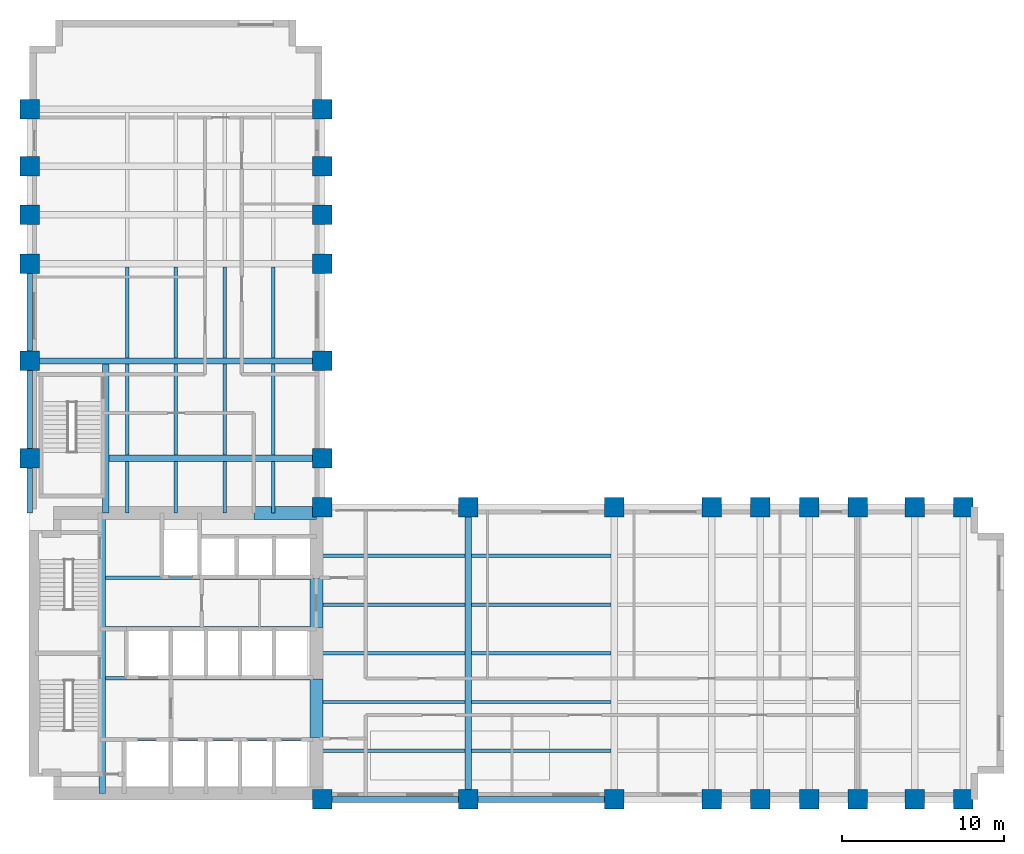
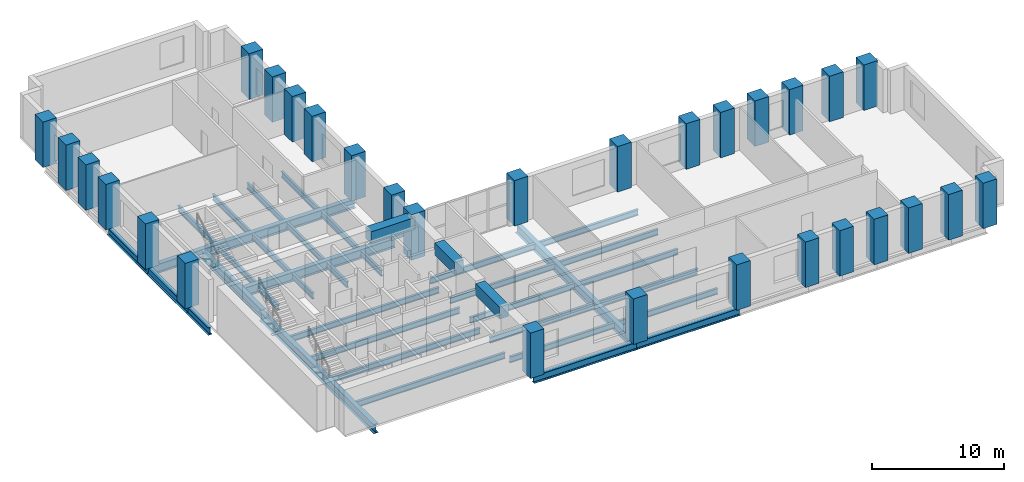
# One storey, part 1 of 8: 39 beams, 30 columns.
"""IFC4 building model written with IfcOpenShell, lengths in metres."""

from ifc_helpers import new_model, si_unit, direction, frame, origin, origin_2d, place, context, subcontext, project, spatial, rectangle, i_section, extrude, material, material_profile, profile_set, type_object, element, save


model = new_model("IFC4")

# Units and contexts
model_context = context("Model", 3, precision=1e-05, world=origin(), true_north=direction((0.0, 1.0)))
body_context = subcontext(model_context, "Body", "Model", "MODEL_VIEW")
ifc_project = project(units=[si_unit("LENGTHUNIT", "METRE"), si_unit("AREAUNIT", "SQUARE_METRE"), si_unit("VOLUMEUNIT", "CUBIC_METRE"), si_unit("PLANEANGLEUNIT", "RADIAN"), si_unit("MASSUNIT", "GRAM", prefix="KILO")], contexts=[model_context])

# Site, building, storey
site_placement = place(None, origin())
site = spatial("IfcSite", under=ifc_project, at=site_placement, CompositionType="ELEMENT")
building_placement = place(site_placement, origin())
building = spatial("IfcBuilding", under=site, at=building_placement, Name="Mawjdan Bourse Tower", CompositionType="ELEMENT")
storey_placement = place(building_placement, frame((0.0, 0.0, 25.800048828125)))
storey = spatial("IfcBuildingStorey", under=building, at=storey_placement, Name="L05", CompositionType="ELEMENT", Elevation=25.800048828125)

# Columns
ifc_material_1 = material(Name="Concrete C80/95", Category="concrete")
ifc_material_profile_1 = material_profile(ifc_material_1, rectangle(XDim=1.199951171875, YDim=1.199951171875, at=origin_2d()), Name="RC1200X1200")
ifc_profile_set_1 = profile_set([ifc_material_profile_1], Name="Concrete C80/95")
column_type = type_object("IfcColumnType", Name="COL-RC1200X1200", PredefinedType="COLUMN", material=ifc_profile_set_1)
for number, where, z_axis, x_axis, name in (
    (1, (24.0, 3.0, 0.0), (0.0, 0.0, 1.0), (1.0, 0.0, 0.0), "L05 Structural Column C-X240-Y30"),
    (2, (24.0, 21.0, 0.0), (0.0, 0.0, 1.0), (1.0, 0.0, 0.0), "L05 Structural Column C-X240-Y210"),
    (3, (33.0, 3.0, 0.0), (0.0, 0.0, 1.0), (1.0, 0.0, 0.0), "L05 Structural Column C-X330-Y30"),
    (4, (33.0, 21.0, 0.0), (0.0, 0.0, 1.0), (1.0, 0.0, 0.0), "L05 Structural Column C-X330-Y210"),
    (5, (42.0, 3.0, 0.0), (0.0, 0.0, 1.0), (1.0, 0.0, 0.0), "L05 Structural Column C-X420-Y30"),
    (6, (42.0, 21.0, 0.0), (0.0, 0.0, 1.0), (1.0, 0.0, 0.0), "L05 Structural Column C-X420-Y210"),
    (7, (48.0, 3.0, 0.0), (0.0, 0.0, 1.0), (1.0, 0.0, 0.0), "L05 Structural Column C-X480-Y30"),
    (8, (48.0, 21.0, 0.0), (0.0, 0.0, 1.0), (1.0, 0.0, 0.0), "L05 Structural Column C-X480-Y210"),
    (9, (51.0, 3.0, 0.0), (0.0, 0.0, 1.0), (1.0, 0.0, 0.0), "L05 Structural Column C-X510-Y30"),
    (10, (51.0, 21.0, 0.0), (0.0, 0.0, 1.0), (1.0, 0.0, 0.0), "L05 Structural Column C-X510-Y210"),
    (11, (54.0, 3.0, 0.0), (0.0, 0.0, 1.0), (1.0, 0.0, 0.0), "L05 Structural Column C-X540-Y30"),
    (12, (54.0, 21.0, 0.0), (0.0, 0.0, 1.0), (1.0, 0.0, 0.0), "L05 Structural Column C-X540-Y210"),
    (13, (57.0, 3.0, 0.0), (0.0, 0.0, 1.0), (1.0, 0.0, 0.0), "L05 Structural Column C-X570-Y30"),
    (14, (57.0, 21.0, 0.0), (0.0, 0.0, 1.0), (1.0, 0.0, 0.0), "L05 Structural Column C-X570-Y210"),
    (15, (60.5, 3.0, 0.0), (0.0, 0.0, 1.0), (1.0, 0.0, 0.0), "L05 Structural Column C-X605-Y30"),
    (16, (60.5, 21.0, 0.0), (0.0, 0.0, 1.0), (1.0, 0.0, 0.0), "L05 Structural Column C-X605-Y210"),
    (17, (63.5, 3.0, 0.0), (0.0, 0.0, 1.0), (1.0, 0.0, 0.0), "L05 Structural Column C-X635-Y30"),
    (18, (63.5, 21.0, 0.0), (0.0, 0.0, 1.0), (1.0, 0.0, 0.0), "L05 Structural Column C-X635-Y210"),
    (19, (6.0, 24.0, 0.0), (0.0, 0.0, 1.0), (1.0, 0.0, 0.0), "L05 Structural Column C-X60-Y240"),
    (20, (24.0, 24.0, 0.0), (0.0, 0.0, 1.0), (1.0, 0.0, 0.0), "L05 Structural Column C-X240-Y240"),
    (21, (6.0, 30.0, 0.0), (0.0, 0.0, 1.0), (1.0, 0.0, 0.0), "L05 Structural Column C-X60-Y300"),
    (22, (24.0, 30.0, 0.0), (0.0, 0.0, 1.0), (1.0, 0.0, 0.0), "L05 Structural Column C-X240-Y300"),
    (23, (6.0, 36.0, 0.0), (0.0, 0.0, 1.0), (1.0, 0.0, 0.0), "L05 Structural Column C-X60-Y360"),
    (24, (24.0, 36.0, 0.0), (0.0, 0.0, 1.0), (1.0, 0.0, 0.0), "L05 Structural Column C-X240-Y360"),
    (25, (6.0, 39.0, 0.0), (0.0, 0.0, 1.0), (1.0, 0.0, 0.0), "L05 Structural Column C-X60-Y390"),
    (26, (24.0, 39.0, 0.0), (0.0, 0.0, 1.0), (1.0, 0.0, 0.0), "L05 Structural Column C-X240-Y390"),
    (27, (6.0, 42.0, 0.0), (0.0, 0.0, 1.0), (1.0, 0.0, 0.0), "L05 Structural Column C-X60-Y420"),
    (28, (24.0, 42.0, 0.0), (0.0, 0.0, 1.0), (1.0, 0.0, 0.0), "L05 Structural Column C-X240-Y420"),
    (29, (6.0, 45.5, 0.0), (0.0, 0.0, 1.0), (1.0, 0.0, 0.0), "L05 Structural Column C-X60-Y455"),
    (30, (24.0, 45.5, 0.0), (0.0, 0.0, 1.0), (1.0, 0.0, 0.0), "L05 Structural Column C-X240-Y455"),
):
    element("IfcColumn", number, at=place(storey_placement, frame(where, z_axis=z_axis, x_axis=x_axis)), inside=storey, type_object=column_type, Name=name, PredefinedType="COLUMN", context=body_context, shape_type="SweptSolid", body=[
        extrude(rectangle(XDim=1.199951171875, YDim=1.199951171875, at=origin_2d()), origin(), (0.0, 0.0, 1.0), 4.199951171875),
    ])

# Beams
ifc_material_2 = material(Name="Structural Steel S355", Category="steel")
ifc_material_profile_2 = material_profile(ifc_material_2, i_section(OverallWidth=0.39892578125, OverallDepth=0.85595703125, WebThickness=0.018310546875, FlangeThickness=0.029296875, FilletRadius=0.0234375, at=origin_2d()), Name="W33X201")
ifc_profile_set_2 = profile_set([ifc_material_profile_2], Name="Structural Steel S355")
beam_type_1 = type_object("IfcBeamType", Name="GRD-W33X201", PredefinedType="BEAM", material=ifc_profile_set_2)
beam_1_placement = place(storey_placement, frame((10.47998046875, 3.35009765625, -0.64794921875), z_axis=(0.0, 1.0, 0.0), x_axis=(-1.0, 0.0, 0.0)))
element("IfcBeam", 31, at=beam_1_placement, inside=storey, type_object=beam_type_1, Name="L05 Core Stair Trimmer Girder 001", PredefinedType="BEAM", context=body_context, shape_type="SweptSolid", body=[
    extrude(i_section(OverallWidth=0.39892578125, OverallDepth=0.85595703125, WebThickness=0.018310546875, FlangeThickness=0.029296875, FilletRadius=0.0234375, at=origin_2d()), origin(), (0.0, 0.0, 1.0), 17.2998046875),
])
beam_2_placement = place(storey_placement, frame((33.0, 3.0, -0.64794921875), z_axis=(0.0, 1.0, 0.0), x_axis=(-1.0, 0.0, 0.0)))
element("IfcBeam", 32, at=beam_2_placement, inside=storey, type_object=beam_type_1, Name="L05 East Wing Clear-Span Girder 002", PredefinedType="BEAM", context=body_context, shape_type="SweptSolid", body=[
    extrude(i_section(OverallWidth=0.39892578125, OverallDepth=0.85595703125, WebThickness=0.018310546875, FlangeThickness=0.029296875, FilletRadius=0.0234375, at=origin_2d()), origin(), (0.0, 0.0, 1.0), 18.0),
])
beam_3_placement = place(storey_placement, frame((10.679931640625, 20.64990234375, -0.64794921875), z_axis=(0.0, 1.0, 0.0), x_axis=(-1.0, 0.0, 0.0)))
element("IfcBeam", 33, at=beam_3_placement, inside=storey, type_object=beam_type_1, Name="L05 North Wing Stair Trimmer Girder 070", PredefinedType="BEAM", context=body_context, shape_type="SweptSolid", body=[
    extrude(i_section(OverallWidth=0.39892578125, OverallDepth=0.85595703125, WebThickness=0.018310546875, FlangeThickness=0.029296875, FilletRadius=0.0234375, at=origin_2d()), origin(), (0.0, 0.0, 1.0), 9.152587890625),
])
beam_4_placement = place(storey_placement, frame((10.87744140625, 24.0, -0.64794921875), z_axis=(1.0, 0.0, 0.0), x_axis=(0.0, 1.0, 0.0)))
element("IfcBeam", 34, at=beam_4_placement, inside=storey, type_object=beam_type_1, Name="L05 North Wing Clear-Span Girder 071", PredefinedType="BEAM", context=body_context, shape_type="SweptSolid", body=[
    extrude(i_section(OverallWidth=0.39892578125, OverallDepth=0.85595703125, WebThickness=0.018310546875, FlangeThickness=0.029296875, FilletRadius=0.0234375, at=origin_2d()), origin(), (0.0, 0.0, 1.0), 13.12255859375),
])
beam_5_placement = place(storey_placement, frame((6.0, 30.0, -0.64794921875), z_axis=(1.0, 0.0, 0.0), x_axis=(0.0, 1.0, 0.0)))
element("IfcBeam", 35, at=beam_5_placement, inside=storey, type_object=beam_type_1, Name="L05 North Wing Clear-Span Girder 072", PredefinedType="BEAM", context=body_context, shape_type="SweptSolid", body=[
    extrude(i_section(OverallWidth=0.39892578125, OverallDepth=0.85595703125, WebThickness=0.018310546875, FlangeThickness=0.029296875, FilletRadius=0.0234375, at=origin_2d()), origin(), (0.0, 0.0, 1.0), 18.0),
])
ifc_material_profile_3 = material_profile(ifc_material_2, i_section(OverallWidth=0.2119140625, OverallDepth=0.5439453125, WebThickness=0.01318359375, FlangeThickness=0.021240234375, FilletRadius=0.01708984375, at=origin_2d()), Name="W21X83")
ifc_profile_set_3 = profile_set([ifc_material_profile_3], Name="Structural Steel S355")
beam_type_2 = type_object("IfcBeamType", Name="JST-W21X83", PredefinedType="JOIST", material=ifc_profile_set_3)
beam_6_placement = place(storey_placement, frame((23.64990234375, 6.0, -0.491943359375), z_axis=(1.0, 0.0, 0.0), x_axis=(0.0, 1.0, 0.0)))
element("IfcBeam", 36, at=beam_6_placement, inside=storey, type_object=beam_type_2, Name="L05 East Wing Composite Joist 026", PredefinedType="JOIST", context=body_context, shape_type="SweptSolid", body=[
    extrude(i_section(OverallWidth=0.2119140625, OverallDepth=0.5439453125, WebThickness=0.01318359375, FlangeThickness=0.021240234375, FilletRadius=0.01708984375, at=origin_2d()), origin(), (0.0, 0.0, 1.0), 9.152587890625),
])
beam_7_placement = place(storey_placement, frame((33.197509765625, 6.0, -0.491943359375), z_axis=(1.0, 0.0, 0.0), x_axis=(0.0, 1.0, 0.0)))
element("IfcBeam", 37, at=beam_7_placement, inside=storey, type_object=beam_type_2, Name="L05 East Wing Composite Joist 027", PredefinedType="JOIST", context=body_context, shape_type="SweptSolid", body=[
    extrude(i_section(OverallWidth=0.2119140625, OverallDepth=0.5439453125, WebThickness=0.01318359375, FlangeThickness=0.021240234375, FilletRadius=0.01708984375, at=origin_2d()), origin(), (0.0, 0.0, 1.0), 8.60498046875),
])
beam_8_placement = place(storey_placement, frame((23.64990234375, 9.0, -0.491943359375), z_axis=(1.0, 0.0, 0.0), x_axis=(0.0, 1.0, 0.0)))
element("IfcBeam", 38, at=beam_8_placement, inside=storey, type_object=beam_type_2, Name="L05 East Wing Composite Joist 034", PredefinedType="JOIST", context=body_context, shape_type="SweptSolid", body=[
    extrude(i_section(OverallWidth=0.2119140625, OverallDepth=0.5439453125, WebThickness=0.01318359375, FlangeThickness=0.021240234375, FilletRadius=0.01708984375, at=origin_2d()), origin(), (0.0, 0.0, 1.0), 9.152587890625),
])
beam_9_placement = place(storey_placement, frame((33.197509765625, 9.0, -0.491943359375), z_axis=(1.0, 0.0, 0.0), x_axis=(0.0, 1.0, 0.0)))
element("IfcBeam", 39, at=beam_9_placement, inside=storey, type_object=beam_type_2, Name="L05 East Wing Composite Joist 035", PredefinedType="JOIST", context=body_context, shape_type="SweptSolid", body=[
    extrude(i_section(OverallWidth=0.2119140625, OverallDepth=0.5439453125, WebThickness=0.01318359375, FlangeThickness=0.021240234375, FilletRadius=0.01708984375, at=origin_2d()), origin(), (0.0, 0.0, 1.0), 8.60498046875),
])
beam_10_placement = place(storey_placement, frame((23.64990234375, 12.0, -0.491943359375), z_axis=(1.0, 0.0, 0.0), x_axis=(0.0, 1.0, 0.0)))
element("IfcBeam", 40, at=beam_10_placement, inside=storey, type_object=beam_type_2, Name="L05 East Wing Composite Joist 042", PredefinedType="JOIST", context=body_context, shape_type="SweptSolid", body=[
    extrude(i_section(OverallWidth=0.2119140625, OverallDepth=0.5439453125, WebThickness=0.01318359375, FlangeThickness=0.021240234375, FilletRadius=0.01708984375, at=origin_2d()), origin(), (0.0, 0.0, 1.0), 9.152587890625),
])
beam_11_placement = place(storey_placement, frame((33.197509765625, 12.0, -0.491943359375), z_axis=(1.0, 0.0, 0.0), x_axis=(0.0, 1.0, 0.0)))
element("IfcBeam", 41, at=beam_11_placement, inside=storey, type_object=beam_type_2, Name="L05 East Wing Composite Joist 043", PredefinedType="JOIST", context=body_context, shape_type="SweptSolid", body=[
    extrude(i_section(OverallWidth=0.2119140625, OverallDepth=0.5439453125, WebThickness=0.01318359375, FlangeThickness=0.021240234375, FilletRadius=0.01708984375, at=origin_2d()), origin(), (0.0, 0.0, 1.0), 8.60498046875),
])
beam_12_placement = place(storey_placement, frame((23.64990234375, 15.0, -0.491943359375), z_axis=(1.0, 0.0, 0.0), x_axis=(0.0, 1.0, 0.0)))
element("IfcBeam", 42, at=beam_12_placement, inside=storey, type_object=beam_type_2, Name="L05 East Wing Composite Joist 050", PredefinedType="JOIST", context=body_context, shape_type="SweptSolid", body=[
    extrude(i_section(OverallWidth=0.2119140625, OverallDepth=0.5439453125, WebThickness=0.01318359375, FlangeThickness=0.021240234375, FilletRadius=0.01708984375, at=origin_2d()), origin(), (0.0, 0.0, 1.0), 9.152587890625),
])
beam_13_placement = place(storey_placement, frame((33.197509765625, 15.0, -0.491943359375), z_axis=(1.0, 0.0, 0.0), x_axis=(0.0, 1.0, 0.0)))
element("IfcBeam", 43, at=beam_13_placement, inside=storey, type_object=beam_type_2, Name="L05 East Wing Composite Joist 051", PredefinedType="JOIST", context=body_context, shape_type="SweptSolid", body=[
    extrude(i_section(OverallWidth=0.2119140625, OverallDepth=0.5439453125, WebThickness=0.01318359375, FlangeThickness=0.021240234375, FilletRadius=0.01708984375, at=origin_2d()), origin(), (0.0, 0.0, 1.0), 8.60498046875),
])
beam_14_placement = place(storey_placement, frame((23.64990234375, 18.0, -0.491943359375), z_axis=(1.0, 0.0, 0.0), x_axis=(0.0, 1.0, 0.0)))
element("IfcBeam", 44, at=beam_14_placement, inside=storey, type_object=beam_type_2, Name="L05 East Wing Composite Joist 058", PredefinedType="JOIST", context=body_context, shape_type="SweptSolid", body=[
    extrude(i_section(OverallWidth=0.2119140625, OverallDepth=0.5439453125, WebThickness=0.01318359375, FlangeThickness=0.021240234375, FilletRadius=0.01708984375, at=origin_2d()), origin(), (0.0, 0.0, 1.0), 9.152587890625),
])
beam_15_placement = place(storey_placement, frame((33.197509765625, 18.0, -0.491943359375), z_axis=(1.0, 0.0, 0.0), x_axis=(0.0, 1.0, 0.0)))
element("IfcBeam", 45, at=beam_15_placement, inside=storey, type_object=beam_type_2, Name="L05 East Wing Composite Joist 059", PredefinedType="JOIST", context=body_context, shape_type="SweptSolid", body=[
    extrude(i_section(OverallWidth=0.2119140625, OverallDepth=0.5439453125, WebThickness=0.01318359375, FlangeThickness=0.021240234375, FilletRadius=0.01708984375, at=origin_2d()), origin(), (0.0, 0.0, 1.0), 8.60498046875),
])
for number, where, z_axis, x_axis, name in (
    (46, (10.677490234375, 6.699951171875, -0.491943359375), (1.0, 0.0, 0.0), (0.0, 1.0, 0.0), "L05 Core Floor Joist 066"),
    (47, (10.677490234375, 10.449951171875, -0.491943359375), (1.0, 0.0, 0.0), (0.0, 1.0, 0.0), "L05 Core Floor Joist 067"),
    (48, (10.677490234375, 13.550048828125, -0.491943359375), (1.0, 0.0, 0.0), (0.0, 1.0, 0.0), "L05 Core Floor Joist 068"),
    (49, (10.677490234375, 16.64990234375, -0.491943359375), (1.0, 0.0, 0.0), (0.0, 1.0, 0.0), "L05 Core Floor Joist 069"),
):
    element("IfcBeam", number, at=place(storey_placement, frame(where, z_axis=z_axis, x_axis=x_axis)), inside=storey, type_object=beam_type_2, Name=name, PredefinedType="JOIST", context=body_context, shape_type="SweptSolid", body=[
        extrude(i_section(OverallWidth=0.2119140625, OverallDepth=0.5439453125, WebThickness=0.01318359375, FlangeThickness=0.021240234375, FilletRadius=0.01708984375, at=origin_2d()), origin(), (0.0, 0.0, 1.0), 12.972412109375),
    ])
beam_16_placement = place(storey_placement, frame((12.0, 20.64990234375, -0.491943359375), z_axis=(0.0, 1.0, 0.0), x_axis=(-1.0, 0.0, 0.0)))
element("IfcBeam", 50, at=beam_16_placement, inside=storey, type_object=beam_type_2, Name="L05 North Wing Composite Joist 089", PredefinedType="JOIST", context=body_context, shape_type="SweptSolid", body=[
    extrude(i_section(OverallWidth=0.2119140625, OverallDepth=0.5439453125, WebThickness=0.01318359375, FlangeThickness=0.021240234375, FilletRadius=0.01708984375, at=origin_2d()), origin(), (0.0, 0.0, 1.0), 3.152587890625),
])
for number, where, z_axis, x_axis, name in (
    (51, (12.0, 24.197509765625, -0.491943359375), (0.0, 1.0, 0.0), (-1.0, 0.0, 0.0), "L05 North Wing Composite Joist 090"),
    (52, (12.0, 30.197509765625, -0.491943359375), (0.0, 1.0, 0.0), (-1.0, 0.0, 0.0), "L05 North Wing Composite Joist 091"),
):
    element("IfcBeam", number, at=place(storey_placement, frame(where, z_axis=z_axis, x_axis=x_axis)), inside=storey, type_object=beam_type_2, Name=name, PredefinedType="JOIST", context=body_context, shape_type="SweptSolid", body=[
        extrude(i_section(OverallWidth=0.2119140625, OverallDepth=0.5439453125, WebThickness=0.01318359375, FlangeThickness=0.021240234375, FilletRadius=0.01708984375, at=origin_2d()), origin(), (0.0, 0.0, 1.0), 5.60498046875),
    ])
beam_17_placement = place(storey_placement, frame((15.0, 20.64990234375, -0.491943359375), z_axis=(0.0, 1.0, 0.0), x_axis=(-1.0, 0.0, 0.0)))
element("IfcBeam", 53, at=beam_17_placement, inside=storey, type_object=beam_type_2, Name="L05 North Wing Composite Joist 095", PredefinedType="JOIST", context=body_context, shape_type="SweptSolid", body=[
    extrude(i_section(OverallWidth=0.2119140625, OverallDepth=0.5439453125, WebThickness=0.01318359375, FlangeThickness=0.021240234375, FilletRadius=0.01708984375, at=origin_2d()), origin(), (0.0, 0.0, 1.0), 3.152587890625),
])
for number, where, z_axis, x_axis, name in (
    (54, (15.0, 24.197509765625, -0.491943359375), (0.0, 1.0, 0.0), (-1.0, 0.0, 0.0), "L05 North Wing Composite Joist 096"),
    (55, (15.0, 30.197509765625, -0.491943359375), (0.0, 1.0, 0.0), (-1.0, 0.0, 0.0), "L05 North Wing Composite Joist 097"),
):
    element("IfcBeam", number, at=place(storey_placement, frame(where, z_axis=z_axis, x_axis=x_axis)), inside=storey, type_object=beam_type_2, Name=name, PredefinedType="JOIST", context=body_context, shape_type="SweptSolid", body=[
        extrude(i_section(OverallWidth=0.2119140625, OverallDepth=0.5439453125, WebThickness=0.01318359375, FlangeThickness=0.021240234375, FilletRadius=0.01708984375, at=origin_2d()), origin(), (0.0, 0.0, 1.0), 5.60498046875),
    ])
beam_18_placement = place(storey_placement, frame((18.0, 20.64990234375, -0.491943359375), z_axis=(0.0, 1.0, 0.0), x_axis=(-1.0, 0.0, 0.0)))
element("IfcBeam", 56, at=beam_18_placement, inside=storey, type_object=beam_type_2, Name="L05 North Wing Composite Joist 101", PredefinedType="JOIST", context=body_context, shape_type="SweptSolid", body=[
    extrude(i_section(OverallWidth=0.2119140625, OverallDepth=0.5439453125, WebThickness=0.01318359375, FlangeThickness=0.021240234375, FilletRadius=0.01708984375, at=origin_2d()), origin(), (0.0, 0.0, 1.0), 3.152587890625),
])
for number, where, z_axis, x_axis, name in (
    (57, (18.0, 24.197509765625, -0.491943359375), (0.0, 1.0, 0.0), (-1.0, 0.0, 0.0), "L05 North Wing Composite Joist 102"),
    (58, (18.0, 30.197509765625, -0.491943359375), (0.0, 1.0, 0.0), (-1.0, 0.0, 0.0), "L05 North Wing Composite Joist 103"),
):
    element("IfcBeam", number, at=place(storey_placement, frame(where, z_axis=z_axis, x_axis=x_axis)), inside=storey, type_object=beam_type_2, Name=name, PredefinedType="JOIST", context=body_context, shape_type="SweptSolid", body=[
        extrude(i_section(OverallWidth=0.2119140625, OverallDepth=0.5439453125, WebThickness=0.01318359375, FlangeThickness=0.021240234375, FilletRadius=0.01708984375, at=origin_2d()), origin(), (0.0, 0.0, 1.0), 5.60498046875),
    ])
beam_19_placement = place(storey_placement, frame((21.0, 20.64990234375, -0.491943359375), z_axis=(0.0, 1.0, 0.0), x_axis=(-1.0, 0.0, 0.0)))
element("IfcBeam", 59, at=beam_19_placement, inside=storey, type_object=beam_type_2, Name="L05 North Wing Composite Joist 107", PredefinedType="JOIST", context=body_context, shape_type="SweptSolid", body=[
    extrude(i_section(OverallWidth=0.2119140625, OverallDepth=0.5439453125, WebThickness=0.01318359375, FlangeThickness=0.021240234375, FilletRadius=0.01708984375, at=origin_2d()), origin(), (0.0, 0.0, 1.0), 3.152587890625),
])
for number, where, z_axis, x_axis, name in (
    (60, (21.0, 24.197509765625, -0.491943359375), (0.0, 1.0, 0.0), (-1.0, 0.0, 0.0), "L05 North Wing Composite Joist 108"),
    (61, (21.0, 30.197509765625, -0.491943359375), (0.0, 1.0, 0.0), (-1.0, 0.0, 0.0), "L05 North Wing Composite Joist 109"),
):
    element("IfcBeam", number, at=place(storey_placement, frame(where, z_axis=z_axis, x_axis=x_axis)), inside=storey, type_object=beam_type_2, Name=name, PredefinedType="JOIST", context=body_context, shape_type="SweptSolid", body=[
        extrude(i_section(OverallWidth=0.2119140625, OverallDepth=0.5439453125, WebThickness=0.01318359375, FlangeThickness=0.021240234375, FilletRadius=0.01708984375, at=origin_2d()), origin(), (0.0, 0.0, 1.0), 5.60498046875),
    ])
ifc_material_3 = material(Name="Concrete C70/85", Category="concrete")
ifc_material_profile_4 = material_profile(ifc_material_3, rectangle(XDim=0.800048828125, YDim=1.10009765625, at=origin_2d()), Name="RCB800X1100")
ifc_profile_set_4 = profile_set([ifc_material_profile_4], Name="Concrete C70/85")
beam_type_3 = type_object("IfcBeamType", Name="LNT-RCB800X1100", PredefinedType="LINTEL", material=ifc_profile_set_4)
beam_20_placement = place(storey_placement, frame((23.64990234375, 6.800048828125, 3.429931640625), z_axis=(0.0, 1.0, 0.0), x_axis=(-1.0, 0.0, 0.0)))
element("IfcBeam", 62, at=beam_20_placement, inside=storey, type_object=beam_type_3, Name="L05 Coupled Core Lintel CB-E1", PredefinedType="LINTEL", context=body_context, shape_type="SweptSolid", body=[
    extrude(rectangle(XDim=0.800048828125, YDim=1.10009765625, at=origin_2d()), origin(), (0.0, 0.0, 1.0), 3.599853515625),
])
beam_21_placement = place(storey_placement, frame((23.64990234375, 13.60009765625, 3.429931640625), z_axis=(0.0, 1.0, 0.0), x_axis=(-1.0, 0.0, 0.0)))
element("IfcBeam", 63, at=beam_21_placement, inside=storey, type_object=beam_type_3, Name="L05 Coupled Core Lintel CB-E2", PredefinedType="LINTEL", context=body_context, shape_type="SweptSolid", body=[
    extrude(rectangle(XDim=0.800048828125, YDim=1.10009765625, at=origin_2d()), origin(), (0.0, 0.0, 1.0), 3.0),
])
beam_22_placement = place(storey_placement, frame((19.800048828125, 20.64990234375, 3.429931640625), z_axis=(1.0, 0.0, 0.0), x_axis=(0.0, 1.0, 0.0)))
element("IfcBeam", 64, at=beam_22_placement, inside=storey, type_object=beam_type_3, Name="L05 Coupled Core Lintel CB-N1", PredefinedType="LINTEL", context=body_context, shape_type="SweptSolid", body=[
    extrude(rectangle(XDim=0.800048828125, YDim=1.10009765625, at=origin_2d()), origin(), (0.0, 0.0, 1.0), 3.849853515625),
])
ifc_material_profile_5 = material_profile(ifc_material_2, i_section(OverallWidth=0.35498046875, OverallDepth=0.696044921875, WebThickness=0.015380859375, FlangeThickness=0.02490234375, FilletRadius=0.019775390625, at=origin_2d()), Name="W27X146")
ifc_profile_set_5 = profile_set([ifc_material_profile_5], Name="Structural Steel S355")
beam_type_4 = type_object("IfcBeamType", Name="SPN-W27X146", PredefinedType="SPANDREL", material=ifc_profile_set_5)
for number, where, z_axis, x_axis, name in (
    (65, (24.0, 3.0, -0.568115234375), (1.0, 0.0, 0.0), (0.0, 1.0, 0.0), "L05 Perimeter Masonry-Shelf Spandrel 010"),
    (66, (33.0, 3.0, -0.568115234375), (1.0, 0.0, 0.0), (0.0, 1.0, 0.0), "L05 Perimeter Masonry-Shelf Spandrel 011"),
):
    element("IfcBeam", number, at=place(storey_placement, frame(where, z_axis=z_axis, x_axis=x_axis)), inside=storey, type_object=beam_type_4, Name=name, PredefinedType="SPANDREL", context=body_context, shape_type="SweptSolid", body=[
        extrude(i_section(OverallWidth=0.35498046875, OverallDepth=0.696044921875, WebThickness=0.015380859375, FlangeThickness=0.02490234375, FilletRadius=0.019775390625, at=origin_2d()), origin(), (0.0, 0.0, 1.0), 9.0),
    ])
beam_23_placement = place(storey_placement, frame((6.0, 20.64990234375, -0.568115234375), z_axis=(0.0, 1.0, 0.0), x_axis=(-1.0, 0.0, 0.0)))
element("IfcBeam", 67, at=beam_23_placement, inside=storey, type_object=beam_type_4, Name="L05 North Wing Spandrel 077", PredefinedType="SPANDREL", context=body_context, shape_type="SweptSolid", body=[
    extrude(i_section(OverallWidth=0.35498046875, OverallDepth=0.696044921875, WebThickness=0.015380859375, FlangeThickness=0.02490234375, FilletRadius=0.019775390625, at=origin_2d()), origin(), (0.0, 0.0, 1.0), 3.35009765625),
])
for number, where, z_axis, x_axis, name in (
    (68, (6.0, 24.0, -0.568115234375), (0.0, 1.0, 0.0), (-1.0, 0.0, 0.0), "L05 North Wing Spandrel 078"),
    (69, (6.0, 30.0, -0.568115234375), (0.0, 1.0, 0.0), (-1.0, 0.0, 0.0), "L05 North Wing Spandrel 079"),
):
    element("IfcBeam", number, at=place(storey_placement, frame(where, z_axis=z_axis, x_axis=x_axis)), inside=storey, type_object=beam_type_4, Name=name, PredefinedType="SPANDREL", context=body_context, shape_type="SweptSolid", body=[
        extrude(i_section(OverallWidth=0.35498046875, OverallDepth=0.696044921875, WebThickness=0.015380859375, FlangeThickness=0.02490234375, FilletRadius=0.019775390625, at=origin_2d()), origin(), (0.0, 0.0, 1.0), 6.0),
    ])

save(model, "model.ifc")
